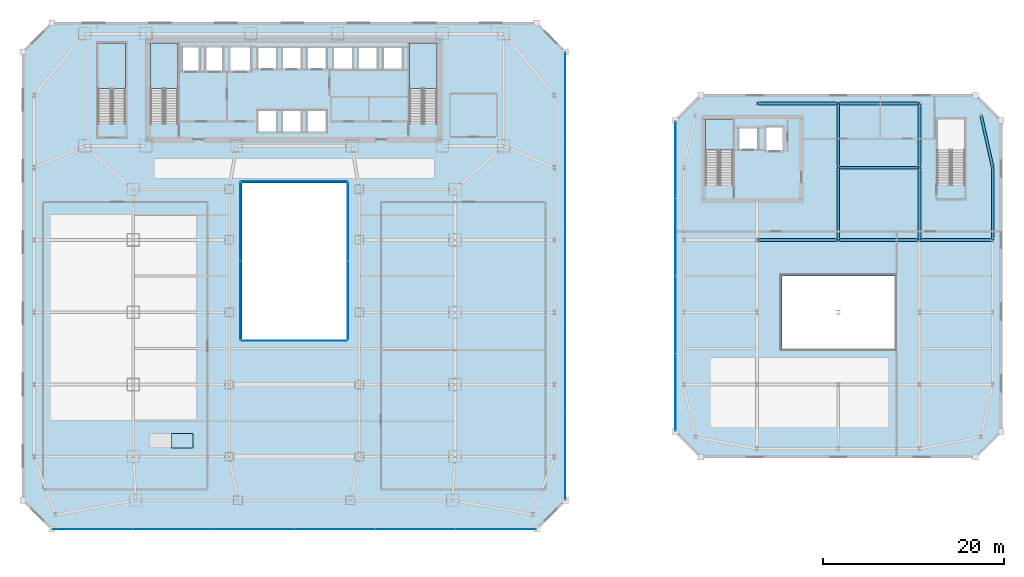
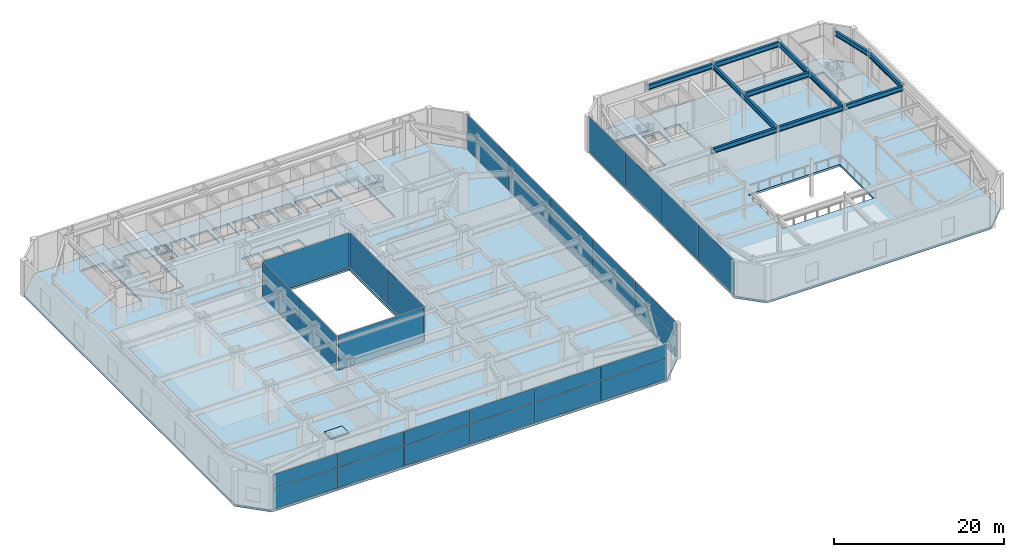
# One storey, part 37 of 52: 32 plates, 12 beams, 7 slabs, 12 elements without a shape of their own.
"""IFC4 building model written with IfcOpenShell, lengths in metres."""

from ifc_helpers import new_model, si_unit, direction, frame, origin, origin_2d, place, context, subcontext, project, spatial, polyline, rectangle, i_section, outline, extrude, material, layer, layer_set, material_profile, profile_set, type_object, element, aggregate, save


model = new_model("IFC4")

# Units and contexts
model_context = context("Model", 3, precision=1e-05, world=origin(), true_north=direction((0.0, 1.0)))
body_context = subcontext(model_context, "Body", "Model", "MODEL_VIEW")
ifc_project = project(units=[si_unit("LENGTHUNIT", "METRE"), si_unit("AREAUNIT", "SQUARE_METRE"), si_unit("VOLUMEUNIT", "CUBIC_METRE"), si_unit("PLANEANGLEUNIT", "RADIAN"), si_unit("MASSUNIT", "GRAM", prefix="KILO")], contexts=[model_context])

# Site, building, storey
site_placement = place(None, origin())
site = spatial("IfcSite", under=ifc_project, at=site_placement, CompositionType="ELEMENT")
building_placement = place(site_placement, origin())
building = spatial("IfcBuilding", under=site, at=building_placement, Name="Saevonmaru Cultural Tower", CompositionType="ELEMENT")
storey_placement = place(building_placement, frame((0.0, 0.0, 11.39990234375)))
storey = spatial("IfcBuildingStorey", under=building, at=storey_placement, Name="L02", CompositionType="ELEMENT", Elevation=11.39990234375)

# Beams
ifc_material_1 = material(Name="Steel SM355", Category="steel")
ifc_material_profile = material_profile(ifc_material_1, i_section(OverallWidth=0.300048828125, OverallDepth=0.699951171875, WebThickness=0.012939453125, FlangeThickness=0.02392578125, FilletRadius=0.02587890625, at=origin_2d()), Name="H-700x300x13x24")
ifc_profile_set = profile_set([ifc_material_profile], Name="Steel SM355")
beam_type = type_object("IfcBeamType", Name="BM-G-H700", PredefinedType="BEAM", material=ifc_profile_set)
for number, where, z_axis, x_axis, name in (
    (1, (81.260009765625, 32.0, 4.75), (1.0, 0.0, 0.0), (0.0, 1.0, 0.0), "L02 Library Girder EW-4-2"),
    (2, (90.260009765625, 32.0, 4.75), (1.0, 0.0, 0.0), (0.0, 1.0, 0.0), "L02 Library Girder EW-4-3"),
):
    element("IfcBeam", number, at=place(storey_placement, frame(where, z_axis=z_axis, x_axis=x_axis)), inside=storey, type_object=beam_type, Name=name, PredefinedType="BEAM", context=body_context, shape_type="SweptSolid", body=[
        extrude(i_section(OverallWidth=0.300048828125, OverallDepth=0.699951171875, WebThickness=0.012939453125, FlangeThickness=0.02392578125, FilletRadius=0.02587890625, at=origin_2d()), origin(), (0.0, 0.0, 1.0), 8.8798828125),
    ])
beam_1_placement = place(storey_placement, frame((99.260009765625, 32.0, 4.75), z_axis=(1.0, 0.0, 0.0), x_axis=(0.0, 1.0, 0.0)))
element("IfcBeam", 3, at=beam_1_placement, inside=storey, type_object=beam_type, Name="L02 Library Girder EW-4-4", PredefinedType="BEAM", context=body_context, shape_type="SweptSolid", body=[
    extrude(i_section(OverallWidth=0.300048828125, OverallDepth=0.699951171875, WebThickness=0.012939453125, FlangeThickness=0.02392578125, FilletRadius=0.02587890625, at=origin_2d()), origin(), (0.0, 0.0, 1.0), 7.97998046875),
])
for number, where, z_axis, x_axis, name in (
    (4, (90.260009765625, 40.0, 4.75), (1.0, 0.0, 0.0), (0.0, 1.0, 0.0), "L02 Library Girder EW-5-3"),
    (5, (81.260009765625, 47.10009765625, 4.75), (1.0, 0.0, 0.0), (0.0, 1.0, 0.0), "L02 Library Girder EW-6-2"),
    (6, (90.260009765625, 47.10009765625, 4.75), (1.0, 0.0, 0.0), (0.0, 1.0, 0.0), "L02 Library Girder EW-6-3"),
):
    element("IfcBeam", number, at=place(storey_placement, frame(where, z_axis=z_axis, x_axis=x_axis)), inside=storey, type_object=beam_type, Name=name, PredefinedType="BEAM", context=body_context, shape_type="SweptSolid", body=[
        extrude(i_section(OverallWidth=0.300048828125, OverallDepth=0.699951171875, WebThickness=0.012939453125, FlangeThickness=0.02392578125, FilletRadius=0.02587890625, at=origin_2d()), origin(), (0.0, 0.0, 1.0), 8.8798828125),
    ])
beam_2_placement = place(storey_placement, frame((90.199951171875, 32.06005859375, 4.75), z_axis=(0.0, 1.0, 0.0), x_axis=(-1.0, 0.0, 0.0)))
element("IfcBeam", 7, at=beam_2_placement, inside=storey, type_object=beam_type, Name="L02 Library Girder NS-3-4", PredefinedType="BEAM", context=body_context, shape_type="SweptSolid", body=[
    extrude(i_section(OverallWidth=0.300048828125, OverallDepth=0.699951171875, WebThickness=0.012939453125, FlangeThickness=0.02392578125, FilletRadius=0.02587890625, at=origin_2d()), origin(), (0.0, 0.0, 1.0), 7.8798828125),
])
beam_3_placement = place(storey_placement, frame((90.199951171875, 40.06005859375, 4.75), z_axis=(0.0, 1.0, 0.0), x_axis=(-1.0, 0.0, 0.0)))
element("IfcBeam", 8, at=beam_3_placement, inside=storey, type_object=beam_type, Name="L02 Library Girder NS-3-5", PredefinedType="BEAM", context=body_context, shape_type="SweptSolid", body=[
    extrude(i_section(OverallWidth=0.300048828125, OverallDepth=0.699951171875, WebThickness=0.012939453125, FlangeThickness=0.02392578125, FilletRadius=0.02587890625, at=origin_2d()), origin(), (0.0, 0.0, 1.0), 6.97998046875),
])
beam_4_placement = place(storey_placement, frame((99.199951171875, 32.06005859375, 4.75), z_axis=(0.0, 1.0, 0.0), x_axis=(-1.0, 0.0, 0.0)))
element("IfcBeam", 9, at=beam_4_placement, inside=storey, type_object=beam_type, Name="L02 Library Girder NS-4-4", PredefinedType="BEAM", context=body_context, shape_type="SweptSolid", body=[
    extrude(i_section(OverallWidth=0.300048828125, OverallDepth=0.699951171875, WebThickness=0.012939453125, FlangeThickness=0.02392578125, FilletRadius=0.02587890625, at=origin_2d()), origin(), (0.0, 0.0, 1.0), 7.8798828125),
])
beam_5_placement = place(storey_placement, frame((99.199951171875, 40.06005859375, 4.75), z_axis=(0.0, 1.0, 0.0), x_axis=(-1.0, 0.0, 0.0)))
element("IfcBeam", 10, at=beam_5_placement, inside=storey, type_object=beam_type, Name="L02 Library Girder NS-4-5", PredefinedType="BEAM", context=body_context, shape_type="SweptSolid", body=[
    extrude(i_section(OverallWidth=0.300048828125, OverallDepth=0.699951171875, WebThickness=0.012939453125, FlangeThickness=0.02392578125, FilletRadius=0.02587890625, at=origin_2d()), origin(), (0.0, 0.0, 1.0), 6.97998046875),
])
beam_6_placement = place(storey_placement, frame((107.300048828125, 32.06005859375, 4.75), z_axis=(0.0, 1.0, 0.0), x_axis=(-1.0, 0.0, 0.0)))
element("IfcBeam", 11, at=beam_6_placement, inside=storey, type_object=beam_type, Name="L02 Library Girder NS-5-4", PredefinedType="BEAM", context=body_context, shape_type="SweptSolid", body=[
    extrude(i_section(OverallWidth=0.300048828125, OverallDepth=0.699951171875, WebThickness=0.012939453125, FlangeThickness=0.02392578125, FilletRadius=0.02587890625, at=origin_2d()), origin(), (0.0, 0.0, 1.0), 7.8798828125),
])
beam_7_placement = place(storey_placement, frame((107.286865234375, 40.05859375, 4.75), z_axis=(-0.218701133908, 0.975791890737, 0.0), x_axis=(-0.975791890737, -0.218701133908, 0.0)))
element("IfcBeam", 12, at=beam_7_placement, inside=storey, type_object=beam_type, Name="L02 Library Girder NS-5-5", PredefinedType="BEAM", context=body_context, shape_type="SweptSolid", body=[
    extrude(i_section(OverallWidth=0.300048828125, OverallDepth=0.699951171875, WebThickness=0.012939453125, FlangeThickness=0.02392578125, FilletRadius=0.02587890625, at=origin_2d()), origin(), (0.0, 0.0, 1.0), 5.82373046875),
])

# Curtain wall, plate
ifc_material_2 = material(Name="Satin Bronze Anodised Aluminium", Category="aluminium")
curtain_wall_type_1 = type_object("IfcCurtainWallType", Name="CW-ATR-GLZ", PredefinedType="NOTDEFINED", material=ifc_material_2)
curtain_wall_1_placement = place(storey_placement, origin())
curtain_wall_1 = element("IfcCurtainWall", 13, at=curtain_wall_1_placement, inside=storey, type_object=curtain_wall_type_1, Name="L02 Vertical Atrium Glazed Smoke Screen 1", PredefinedType="NOTDEFINED")
ifc_material_3 = material(Name="Fire-Rated Laminated Atrium Glass", Category="glass")
ifc_layer_1 = layer(ifc_material_3, 0.031982421875, Name="Fire-Rated Laminated Atrium Glass")
ifc_layer_set_1 = layer_set([ifc_layer_1], Name="Fire-Rated Laminated Atrium Glass")
plate_type_1 = type_object("IfcPlateType", Name="PN-GLZ-ATR-INT", PredefinedType="CURTAIN_PANEL", material=ifc_layer_set_1)
plate_1_placement = place(storey_placement, frame((30.0, 20.85009765625, 0.06689453125), z_axis=(0.0, 0.0, 1.0), x_axis=(1.0, 0.0, 0.0)))
plate_1 = element("IfcPlate", 14, at=plate_1_placement, type_object=plate_type_1, Name="CW-ATR-L02-1 panel 1.1", PredefinedType="CURTAIN_PANEL", context=body_context, shape_type="SweptSolid", body=[
    extrude(rectangle(XDim=11.7109375, YDim=0.031982421875, at=origin_2d()), origin(), (0.0, 0.0, 1.0), 4.966064453125),
])
aggregate(curtain_wall_1, [plate_1])

# Curtain wall, plates
curtain_wall_2_placement = place(storey_placement, origin())
curtain_wall_2 = element("IfcCurtainWall", 15, at=curtain_wall_2_placement, inside=storey, type_object=curtain_wall_type_1, Name="L02 Vertical Atrium Glazed Smoke Screen 2", PredefinedType="NOTDEFINED")
plate_2_placement = place(storey_placement, frame((35.949951171875, 25.284912109375, 0.06689453125), z_axis=(0.0, 0.0, 1.0), x_axis=(0.0, 1.0, 0.0)))
plate_2 = element("IfcPlate", 16, at=plate_2_placement, type_object=plate_type_1, Name="CW-ATR-L02-2 panel 1.1", PredefinedType="CURTAIN_PANEL", context=body_context, shape_type="SweptSolid", body=[
    extrude(rectangle(XDim=8.680908203125, YDim=0.031982421875, at=origin_2d()), origin(), (0.0, 0.0, 1.0), 4.966064453125),
])
plate_3_placement = place(storey_placement, frame((35.949951171875, 34.034912109375, 0.06689453125), z_axis=(0.0, 0.0, 1.0), x_axis=(0.0, 1.0, 0.0)))
plate_3 = element("IfcPlate", 17, at=plate_3_placement, type_object=plate_type_1, Name="CW-ATR-L02-2 panel 2.1", PredefinedType="CURTAIN_PANEL", context=body_context, shape_type="SweptSolid", body=[
    extrude(rectangle(XDim=8.680908203125, YDim=0.031982421875, at=origin_2d()), origin(), (0.0, 0.0, 1.0), 4.966064453125),
])
aggregate(curtain_wall_2, [plate_2, plate_3])

# Curtain wall, plate
curtain_wall_3_placement = place(storey_placement, origin())
curtain_wall_3 = element("IfcCurtainWall", 18, at=curtain_wall_3_placement, inside=storey, type_object=curtain_wall_type_1, Name="L02 Vertical Atrium Glazed Smoke Screen 3", PredefinedType="NOTDEFINED")
plate_4_placement = place(storey_placement, frame((30.0, 38.469970703125, 0.06689453125), z_axis=(0.0, 0.0, 1.0), x_axis=(-1.0, 0.0, 0.0)))
plate_4 = element("IfcPlate", 19, at=plate_4_placement, type_object=plate_type_1, Name="CW-ATR-L02-3 panel 1.1", PredefinedType="CURTAIN_PANEL", context=body_context, shape_type="SweptSolid", body=[
    extrude(rectangle(XDim=11.7109375, YDim=0.031982421875, at=origin_2d()), origin(), (0.0, 0.0, 1.0), 4.966064453125),
])
aggregate(curtain_wall_3, [plate_4])

# Curtain wall, plates
curtain_wall_4_placement = place(storey_placement, origin())
curtain_wall_4 = element("IfcCurtainWall", 20, at=curtain_wall_4_placement, inside=storey, type_object=curtain_wall_type_1, Name="L02 Vertical Atrium Glazed Smoke Screen 4", PredefinedType="NOTDEFINED")
plate_5_placement = place(storey_placement, frame((24.050048828125, 34.034912109375, 0.06689453125), z_axis=(0.0, 0.0, 1.0), x_axis=(0.0, -1.0, 0.0)))
plate_5 = element("IfcPlate", 21, at=plate_5_placement, type_object=plate_type_1, Name="CW-ATR-L02-4 panel 1.1", PredefinedType="CURTAIN_PANEL", context=body_context, shape_type="SweptSolid", body=[
    extrude(rectangle(XDim=8.680908203125, YDim=0.031982421875, at=origin_2d()), origin(), (0.0, 0.0, 1.0), 4.966064453125),
])
plate_6_placement = place(storey_placement, frame((24.050048828125, 25.284912109375, 0.06689453125), z_axis=(0.0, 0.0, 1.0), x_axis=(0.0, -1.0, 0.0)))
plate_6 = element("IfcPlate", 22, at=plate_6_placement, type_object=plate_type_1, Name="CW-ATR-L02-4 panel 2.1", PredefinedType="CURTAIN_PANEL", context=body_context, shape_type="SweptSolid", body=[
    extrude(rectangle(XDim=8.680908203125, YDim=0.031982421875, at=origin_2d()), origin(), (0.0, 0.0, 1.0), 4.966064453125),
])
aggregate(curtain_wall_4, [plate_5, plate_6])

curtain_wall_type_2 = type_object("IfcCurtainWallType", Name="CW-POD-GLZ", PredefinedType="NOTDEFINED", material=ifc_material_2)
curtain_wall_5_placement = place(storey_placement, origin())
curtain_wall_5 = element("IfcCurtainWall", 23, at=curtain_wall_5_placement, inside=storey, type_object=curtain_wall_type_2, Name="L02 South Grand Foyer Curtain Wall", PredefinedType="NOTDEFINED")
ifc_material_4 = material(Name="Triple Silver Low-E Insulating Glass", Category="glass")
ifc_layer_2 = layer(ifc_material_4, 0.035888671875, Name="Triple Silver Low-E Insulating Glass")
ifc_layer_set_2 = layer_set([ifc_layer_2], Name="Triple Silver Low-E Insulating Glass")
plate_type_2 = type_object("IfcPlateType", Name="PN-GLZ-IGU", PredefinedType="CURTAIN_PANEL", material=ifc_layer_set_2)
plate_7_placement = place(storey_placement, frame((7.716552734375, 0.0, 0.067138671875), z_axis=(0.0, 0.0, 1.0), x_axis=(1.0, 0.0, 0.0)))
plate_7 = element("IfcPlate", 24, at=plate_7_placement, type_object=plate_type_2, Name="CW-POD-S-L02 panel 1.1", PredefinedType="CURTAIN_PANEL", context=body_context, shape_type="SweptSolid", body=[
    extrude(rectangle(XDim=8.84423828125, YDim=0.035888671875, at=origin_2d()), origin(), (0.0, 0.0, 1.0), 2.8984375),
])
plate_8_placement = place(storey_placement, frame((7.716552734375, 0.0, 3.03466796875), z_axis=(0.0, 0.0, 1.0), x_axis=(1.0, 0.0, 0.0)))
plate_8 = element("IfcPlate", 25, at=plate_8_placement, type_object=plate_type_2, Name="CW-POD-S-L02 panel 1.2", PredefinedType="CURTAIN_PANEL", context=body_context, shape_type="SweptSolid", body=[
    extrude(rectangle(XDim=8.84423828125, YDim=0.035888671875, at=origin_2d()), origin(), (0.0, 0.0, 1.0), 1.99853515625),
])
plate_9_placement = place(storey_placement, frame((16.6298828125, 0.0, 0.067138671875), z_axis=(0.0, 0.0, 1.0), x_axis=(1.0, 0.0, 0.0)))
plate_9 = element("IfcPlate", 26, at=plate_9_placement, type_object=plate_type_2, Name="CW-POD-S-L02 panel 2.1", PredefinedType="CURTAIN_PANEL", context=body_context, shape_type="SweptSolid", body=[
    extrude(rectangle(XDim=8.84423828125, YDim=0.035888671875, at=origin_2d()), origin(), (0.0, 0.0, 1.0), 2.8984375),
])
plate_10_placement = place(storey_placement, frame((16.6298828125, 0.0, 3.03466796875), z_axis=(0.0, 0.0, 1.0), x_axis=(1.0, 0.0, 0.0)))
plate_10 = element("IfcPlate", 27, at=plate_10_placement, type_object=plate_type_2, Name="CW-POD-S-L02 panel 2.2", PredefinedType="CURTAIN_PANEL", context=body_context, shape_type="SweptSolid", body=[
    extrude(rectangle(XDim=8.84423828125, YDim=0.035888671875, at=origin_2d()), origin(), (0.0, 0.0, 1.0), 1.99853515625),
])
plate_11_placement = place(storey_placement, frame((25.543212890625, 0.0, 0.067138671875), z_axis=(0.0, 0.0, 1.0), x_axis=(1.0, 0.0, 0.0)))
plate_11 = element("IfcPlate", 28, at=plate_11_placement, type_object=plate_type_2, Name="CW-POD-S-L02 panel 3.1", PredefinedType="CURTAIN_PANEL", context=body_context, shape_type="SweptSolid", body=[
    extrude(rectangle(XDim=8.84423828125, YDim=0.035888671875, at=origin_2d()), origin(), (0.0, 0.0, 1.0), 2.8984375),
])
plate_12_placement = place(storey_placement, frame((25.543212890625, 0.0, 3.03466796875), z_axis=(0.0, 0.0, 1.0), x_axis=(1.0, 0.0, 0.0)))
plate_12 = element("IfcPlate", 29, at=plate_12_placement, type_object=plate_type_2, Name="CW-POD-S-L02 panel 3.2", PredefinedType="CURTAIN_PANEL", context=body_context, shape_type="SweptSolid", body=[
    extrude(rectangle(XDim=8.84423828125, YDim=0.035888671875, at=origin_2d()), origin(), (0.0, 0.0, 1.0), 1.99853515625),
])
plate_13_placement = place(storey_placement, frame((34.456787109375, 0.0, 0.067138671875), z_axis=(0.0, 0.0, 1.0), x_axis=(1.0, 0.0, 0.0)))
plate_13 = element("IfcPlate", 30, at=plate_13_placement, type_object=plate_type_2, Name="CW-POD-S-L02 panel 4.1", PredefinedType="CURTAIN_PANEL", context=body_context, shape_type="SweptSolid", body=[
    extrude(rectangle(XDim=8.84423828125, YDim=0.035888671875, at=origin_2d()), origin(), (0.0, 0.0, 1.0), 2.8984375),
])
plate_14_placement = place(storey_placement, frame((34.456787109375, 0.0, 3.03466796875), z_axis=(0.0, 0.0, 1.0), x_axis=(1.0, 0.0, 0.0)))
plate_14 = element("IfcPlate", 31, at=plate_14_placement, type_object=plate_type_2, Name="CW-POD-S-L02 panel 4.2", PredefinedType="CURTAIN_PANEL", context=body_context, shape_type="SweptSolid", body=[
    extrude(rectangle(XDim=8.84423828125, YDim=0.035888671875, at=origin_2d()), origin(), (0.0, 0.0, 1.0), 1.99853515625),
])
plate_15_placement = place(storey_placement, frame((43.3701171875, 0.0, 0.067138671875), z_axis=(0.0, 0.0, 1.0), x_axis=(1.0, 0.0, 0.0)))
plate_15 = element("IfcPlate", 32, at=plate_15_placement, type_object=plate_type_2, Name="CW-POD-S-L02 panel 5.1", PredefinedType="CURTAIN_PANEL", context=body_context, shape_type="SweptSolid", body=[
    extrude(rectangle(XDim=8.84423828125, YDim=0.035888671875, at=origin_2d()), origin(), (0.0, 0.0, 1.0), 2.8984375),
])
plate_16_placement = place(storey_placement, frame((43.3701171875, 0.0, 3.03466796875), z_axis=(0.0, 0.0, 1.0), x_axis=(1.0, 0.0, 0.0)))
plate_16 = element("IfcPlate", 33, at=plate_16_placement, type_object=plate_type_2, Name="CW-POD-S-L02 panel 5.2", PredefinedType="CURTAIN_PANEL", context=body_context, shape_type="SweptSolid", body=[
    extrude(rectangle(XDim=8.84423828125, YDim=0.035888671875, at=origin_2d()), origin(), (0.0, 0.0, 1.0), 1.99853515625),
])
plate_17_placement = place(storey_placement, frame((52.283447265625, 0.0, 0.067138671875), z_axis=(0.0, 0.0, 1.0), x_axis=(1.0, 0.0, 0.0)))
plate_17 = element("IfcPlate", 34, at=plate_17_placement, type_object=plate_type_2, Name="CW-POD-S-L02 panel 6.1", PredefinedType="CURTAIN_PANEL", context=body_context, shape_type="SweptSolid", body=[
    extrude(rectangle(XDim=8.84423828125, YDim=0.035888671875, at=origin_2d()), origin(), (0.0, 0.0, 1.0), 2.8984375),
])
plate_18_placement = place(storey_placement, frame((52.283447265625, 0.0, 3.03466796875), z_axis=(0.0, 0.0, 1.0), x_axis=(1.0, 0.0, 0.0)))
plate_18 = element("IfcPlate", 35, at=plate_18_placement, type_object=plate_type_2, Name="CW-POD-S-L02 panel 6.2", PredefinedType="CURTAIN_PANEL", context=body_context, shape_type="SweptSolid", body=[
    extrude(rectangle(XDim=8.84423828125, YDim=0.035888671875, at=origin_2d()), origin(), (0.0, 0.0, 1.0), 1.99853515625),
])
aggregate(curtain_wall_5, [plate_7, plate_8, plate_9, plate_10, plate_11, plate_12, plate_13, plate_14, plate_15, plate_16, plate_17, plate_18])

curtain_wall_6_placement = place(storey_placement, origin())
curtain_wall_6 = element("IfcCurtainWall", 36, at=curtain_wall_6_placement, inside=storey, type_object=curtain_wall_type_2, Name="L02 Saevon Plaza Curtain Wall", PredefinedType="NOTDEFINED")
plate_19_placement = place(storey_placement, frame((60.0, 8.2080078125, 0.067138671875), z_axis=(0.0, 0.0, 1.0), x_axis=(0.0, 1.0, 0.0)))
plate_19 = element("IfcPlate", 37, at=plate_19_placement, type_object=plate_type_2, Name="CW-POD-E-L02 panel 1.1", PredefinedType="CURTAIN_PANEL", context=body_context, shape_type="SweptSolid", body=[
    extrude(rectangle(XDim=9.826904296875, YDim=0.035888671875, at=origin_2d()), origin(), (0.0, 0.0, 1.0), 2.8984375),
])
plate_20_placement = place(storey_placement, frame((60.0, 8.2080078125, 3.03466796875), z_axis=(0.0, 0.0, 1.0), x_axis=(0.0, 1.0, 0.0)))
plate_20 = element("IfcPlate", 38, at=plate_20_placement, type_object=plate_type_2, Name="CW-POD-E-L02 panel 1.2", PredefinedType="CURTAIN_PANEL", context=body_context, shape_type="SweptSolid", body=[
    extrude(rectangle(XDim=9.826904296875, YDim=0.035888671875, at=origin_2d()), origin(), (0.0, 0.0, 1.0), 1.99853515625),
])
plate_21_placement = place(storey_placement, frame((60.0, 18.10400390625, 0.067138671875), z_axis=(0.0, 0.0, 1.0), x_axis=(0.0, 1.0, 0.0)))
plate_21 = element("IfcPlate", 39, at=plate_21_placement, type_object=plate_type_2, Name="CW-POD-E-L02 panel 2.1", PredefinedType="CURTAIN_PANEL", context=body_context, shape_type="SweptSolid", body=[
    extrude(rectangle(XDim=9.826904296875, YDim=0.035888671875, at=origin_2d()), origin(), (0.0, 0.0, 1.0), 2.8984375),
])
plate_22_placement = place(storey_placement, frame((60.0, 18.10400390625, 3.03466796875), z_axis=(0.0, 0.0, 1.0), x_axis=(0.0, 1.0, 0.0)))
plate_22 = element("IfcPlate", 40, at=plate_22_placement, type_object=plate_type_2, Name="CW-POD-E-L02 panel 2.2", PredefinedType="CURTAIN_PANEL", context=body_context, shape_type="SweptSolid", body=[
    extrude(rectangle(XDim=9.826904296875, YDim=0.035888671875, at=origin_2d()), origin(), (0.0, 0.0, 1.0), 1.99853515625),
])
plate_23_placement = place(storey_placement, frame((60.0, 28.0, 0.067138671875), z_axis=(0.0, 0.0, 1.0), x_axis=(0.0, 1.0, 0.0)))
plate_23 = element("IfcPlate", 41, at=plate_23_placement, type_object=plate_type_2, Name="CW-POD-E-L02 panel 3.1", PredefinedType="CURTAIN_PANEL", context=body_context, shape_type="SweptSolid", body=[
    extrude(rectangle(XDim=9.826904296875, YDim=0.035888671875, at=origin_2d()), origin(), (0.0, 0.0, 1.0), 2.8984375),
])
plate_24_placement = place(storey_placement, frame((60.0, 28.0, 3.03466796875), z_axis=(0.0, 0.0, 1.0), x_axis=(0.0, 1.0, 0.0)))
plate_24 = element("IfcPlate", 42, at=plate_24_placement, type_object=plate_type_2, Name="CW-POD-E-L02 panel 3.2", PredefinedType="CURTAIN_PANEL", context=body_context, shape_type="SweptSolid", body=[
    extrude(rectangle(XDim=9.826904296875, YDim=0.035888671875, at=origin_2d()), origin(), (0.0, 0.0, 1.0), 1.99853515625),
])
plate_25_placement = place(storey_placement, frame((60.0, 37.89599609375, 0.067138671875), z_axis=(0.0, 0.0, 1.0), x_axis=(0.0, 1.0, 0.0)))
plate_25 = element("IfcPlate", 43, at=plate_25_placement, type_object=plate_type_2, Name="CW-POD-E-L02 panel 4.1", PredefinedType="CURTAIN_PANEL", context=body_context, shape_type="SweptSolid", body=[
    extrude(rectangle(XDim=9.826904296875, YDim=0.035888671875, at=origin_2d()), origin(), (0.0, 0.0, 1.0), 2.8984375),
])
plate_26_placement = place(storey_placement, frame((60.0, 37.89599609375, 3.03466796875), z_axis=(0.0, 0.0, 1.0), x_axis=(0.0, 1.0, 0.0)))
plate_26 = element("IfcPlate", 44, at=plate_26_placement, type_object=plate_type_2, Name="CW-POD-E-L02 panel 4.2", PredefinedType="CURTAIN_PANEL", context=body_context, shape_type="SweptSolid", body=[
    extrude(rectangle(XDim=9.826904296875, YDim=0.035888671875, at=origin_2d()), origin(), (0.0, 0.0, 1.0), 1.99853515625),
])
plate_27_placement = place(storey_placement, frame((60.0, 47.7919921875, 0.067138671875), z_axis=(0.0, 0.0, 1.0), x_axis=(0.0, 1.0, 0.0)))
plate_27 = element("IfcPlate", 45, at=plate_27_placement, type_object=plate_type_2, Name="CW-POD-E-L02 panel 5.1", PredefinedType="CURTAIN_PANEL", context=body_context, shape_type="SweptSolid", body=[
    extrude(rectangle(XDim=9.826904296875, YDim=0.035888671875, at=origin_2d()), origin(), (0.0, 0.0, 1.0), 2.8984375),
])
plate_28_placement = place(storey_placement, frame((60.0, 47.7919921875, 3.03466796875), z_axis=(0.0, 0.0, 1.0), x_axis=(0.0, 1.0, 0.0)))
plate_28 = element("IfcPlate", 46, at=plate_28_placement, type_object=plate_type_2, Name="CW-POD-E-L02 panel 5.2", PredefinedType="CURTAIN_PANEL", context=body_context, shape_type="SweptSolid", body=[
    extrude(rectangle(XDim=9.826904296875, YDim=0.035888671875, at=origin_2d()), origin(), (0.0, 0.0, 1.0), 1.99853515625),
])
aggregate(curtain_wall_6, [plate_19, plate_20, plate_21, plate_22, plate_23, plate_24, plate_25, plate_26, plate_27, plate_28])

curtain_wall_type_3 = type_object("IfcCurtainWallType", Name="CW-LIB-GLZ", PredefinedType="NOTDEFINED", material=ifc_material_2)
curtain_wall_7_placement = place(storey_placement, origin())
curtain_wall_7 = element("IfcCurtainWall", 47, at=curtain_wall_7_placement, inside=storey, type_object=curtain_wall_type_3, Name="L02 Central Library Reading Hall Curtain Wall 8", PredefinedType="NOTDEFINED")
plate_29_placement = place(storey_placement, frame((72.199951171875, 40.85498046875, 0.06689453125), z_axis=(0.0, 0.0, 1.0), x_axis=(0.0, -1.0, 0.0)))
plate_29 = element("IfcPlate", 48, at=plate_29_placement, type_object=plate_type_2, Name="CW-LIB-8-L02 panel 1.1", PredefinedType="CURTAIN_PANEL", context=body_context, shape_type="SweptSolid", body=[
    extrude(rectangle(XDim=8.5009765625, YDim=0.035888671875, at=origin_2d()), origin(), (0.0, 0.0, 1.0), 4.966064453125),
])
plate_30_placement = place(storey_placement, frame((72.199951171875, 32.284912109375, 0.06689453125), z_axis=(0.0, 0.0, 1.0), x_axis=(0.0, -1.0, 0.0)))
plate_30 = element("IfcPlate", 49, at=plate_30_placement, type_object=plate_type_2, Name="CW-LIB-8-L02 panel 2.1", PredefinedType="CURTAIN_PANEL", context=body_context, shape_type="SweptSolid", body=[
    extrude(rectangle(XDim=8.5009765625, YDim=0.035888671875, at=origin_2d()), origin(), (0.0, 0.0, 1.0), 4.966064453125),
])
plate_31_placement = place(storey_placement, frame((72.199951171875, 23.715087890625, 0.06689453125), z_axis=(0.0, 0.0, 1.0), x_axis=(0.0, -1.0, 0.0)))
plate_31 = element("IfcPlate", 50, at=plate_31_placement, type_object=plate_type_2, Name="CW-LIB-8-L02 panel 3.1", PredefinedType="CURTAIN_PANEL", context=body_context, shape_type="SweptSolid", body=[
    extrude(rectangle(XDim=8.5009765625, YDim=0.035888671875, at=origin_2d()), origin(), (0.0, 0.0, 1.0), 4.966064453125),
])
plate_32_placement = place(storey_placement, frame((72.199951171875, 15.14501953125, 0.06689453125), z_axis=(0.0, 0.0, 1.0), x_axis=(0.0, -1.0, 0.0)))
plate_32 = element("IfcPlate", 51, at=plate_32_placement, type_object=plate_type_2, Name="CW-LIB-8-L02 panel 4.1", PredefinedType="CURTAIN_PANEL", context=body_context, shape_type="SweptSolid", body=[
    extrude(rectangle(XDim=8.5009765625, YDim=0.035888671875, at=origin_2d()), origin(), (0.0, 0.0, 1.0), 4.966064453125),
])
aggregate(curtain_wall_7, [plate_29, plate_30, plate_31, plate_32])

# Ramp, slab
ifc_material_5 = material(Name="Concrete C40/50", Category="concrete")
ramp_type = type_object("IfcRampType", Name="RMP-PED-1600", PredefinedType="STRAIGHT_RUN_RAMP", material=ifc_material_5)
ramp_placement = place(storey_placement, origin())
ramp = element("IfcRamp", 52, at=ramp_placement, inside=storey, type_object=ramp_type, Name="L02 Barrier-Free Gallery Dais Ramp PR-2", PredefinedType="STRAIGHT_RUN_RAMP")
ifc_layer_3 = layer(ifc_material_5, 0.199951171875, Name="Concrete C40/50")
ifc_layer_set_3 = layer_set([ifc_layer_3], Name="Concrete C40/50")
slab_type_1 = type_object("IfcSlabType", Name="SL-DAIS-200", PredefinedType="LANDING", material=ifc_layer_set_3)
slab_1_placement = place(storey_placement, origin())
slab_1 = element("IfcSlab", 53, at=slab_1_placement, type_object=slab_type_1, Name="L02 Gallery Exhibition Dais Landing 2", PredefinedType="LANDING", context=body_context, shape_type="SweptSolid", body=[
    extrude(outline(polyline([(16.39990234375, 9.0), (18.800048828125, 9.0), (18.800048828125, 10.60009765625), (16.39990234375, 10.60009765625), (16.39990234375, 9.0)])), origin(), (0.0, 0.0, 1.0), 0.2001953125),
])
aggregate(ramp, [slab_1])

# Slabs
ifc_layer_4 = layer(ifc_material_5, 0.300048828125, Name="Concrete C40/50")
ifc_layer_set_4 = layer_set([ifc_layer_4], Name="Concrete C40/50")
slab_type_2 = type_object("IfcSlabType", Name="SL-FLR-300", PredefinedType="FLOOR", material=ifc_layer_set_4)
slab_2_placement = place(storey_placement, frame((0.0, 0.0, -0.2998046875)))
element("IfcSlab", 54, at=slab_2_placement, inside=storey, type_object=slab_type_2, Name="L02 Tower Structural Floor Slab", PredefinedType="FLOOR", context=body_context, shape_type="SweptSolid", body=[
    extrude(outline(polyline([(0.0, 3.199951171875), (3.199951171875, 0.0), (56.800048828125, 0.0), (60.0, 3.199951171875), (60.0, 52.800048828125), (56.800048828125, 56.0), (3.199951171875, 56.0), (0.0, 52.800048828125), (0.0, 3.199951171875)]), holes=[polyline([(45.800048828125, 44.875), (42.75, 44.875), (42.75, 53.800048828125), (45.800048828125, 53.800048828125), (45.800048828125, 44.875)]), polyline([(39.75, 50.800048828125), (39.75, 53.39990234375), (42.050048828125, 53.39990234375), (42.050048828125, 50.800048828125), (39.75, 50.800048828125)]), polyline([(37.0, 50.800048828125), (37.0, 53.39990234375), (39.300048828125, 53.39990234375), (39.300048828125, 50.800048828125), (37.0, 50.800048828125)]), polyline([(34.25, 50.800048828125), (34.25, 53.39990234375), (36.550048828125, 53.39990234375), (36.550048828125, 50.800048828125), (34.25, 50.800048828125)]), polyline([(24.199951171875, 21.0), (24.199951171875, 38.320068359375), (35.800048828125, 38.320068359375), (35.800048828125, 21.0), (24.199951171875, 21.0)]), polyline([(31.35009765625, 50.800048828125), (31.35009765625, 53.39990234375), (33.64990234375, 53.39990234375), (33.64990234375, 50.800048828125), (31.35009765625, 50.800048828125)]), polyline([(31.35009765625, 43.85009765625), (31.35009765625, 46.449951171875), (33.64990234375, 46.449951171875), (33.64990234375, 43.85009765625), (31.35009765625, 43.85009765625)]), polyline([(28.60009765625, 43.85009765625), (28.60009765625, 46.449951171875), (30.89990234375, 46.449951171875), (30.89990234375, 43.85009765625), (28.60009765625, 43.85009765625)]), polyline([(28.60009765625, 50.800048828125), (28.60009765625, 53.39990234375), (30.89990234375, 53.39990234375), (30.89990234375, 50.800048828125), (28.60009765625, 50.800048828125)]), polyline([(25.85009765625, 50.800048828125), (25.85009765625, 53.39990234375), (28.14990234375, 53.39990234375), (28.14990234375, 50.800048828125), (25.85009765625, 50.800048828125)]), polyline([(25.85009765625, 43.85009765625), (25.85009765625, 46.449951171875), (28.14990234375, 46.449951171875), (28.14990234375, 43.85009765625), (25.85009765625, 43.85009765625)]), polyline([(22.800048828125, 50.550048828125), (22.800048828125, 53.449951171875), (25.300048828125, 53.449951171875), (25.300048828125, 50.550048828125), (22.800048828125, 50.550048828125)]), polyline([(20.10009765625, 50.550048828125), (20.10009765625, 53.449951171875), (22.199951171875, 53.449951171875), (22.199951171875, 50.550048828125), (20.10009765625, 50.550048828125)]), polyline([(17.5, 50.550048828125), (17.5, 53.449951171875), (19.60009765625, 53.449951171875), (19.60009765625, 50.550048828125), (17.5, 50.550048828125)]), polyline([(17.14990234375, 44.875), (14.10009765625, 44.875), (14.10009765625, 53.800048828125), (17.14990234375, 53.800048828125), (17.14990234375, 44.875)]), polyline([(11.35009765625, 44.875), (8.300048828125, 44.875), (8.300048828125, 53.800048828125), (11.35009765625, 53.800048828125), (11.35009765625, 44.875)])]), origin(), (0.0, 0.0, 1.0), 0.2998046875),
])
slab_3_placement = place(storey_placement, frame((0.0, 0.0, -0.2998046875)))
element("IfcSlab", 55, at=slab_3_placement, inside=storey, type_object=slab_type_2, Name="L02 Central Library Structural Floor Slab", PredefinedType="FLOOR", context=body_context, shape_type="SweptSolid", body=[
    extrude(outline(polyline([(72.199951171875, 10.800048828125), (75.0, 8.0), (105.39990234375, 8.0), (108.199951171875, 10.800048828125), (108.199951171875, 45.199951171875), (105.39990234375, 48.0), (75.0, 48.0), (72.199951171875, 45.199951171875), (72.199951171875, 10.800048828125)]), holes=[polyline([(101.14990234375, 45.39990234375), (104.199951171875, 45.39990234375), (104.199951171875, 38.074951171875), (101.14990234375, 38.074951171875), (101.14990234375, 45.39990234375)]), polyline([(96.39990234375, 28.0), (96.39990234375, 20.0), (84.0, 20.0), (84.0, 28.0), (96.39990234375, 28.0)]), polyline([(84.199951171875, 41.75), (82.10009765625, 41.75), (82.10009765625, 44.64990234375), (84.199951171875, 44.64990234375), (84.199951171875, 41.75)]), polyline([(81.39990234375, 41.89990234375), (79.10009765625, 41.89990234375), (79.10009765625, 44.5), (81.39990234375, 44.5), (81.39990234375, 41.89990234375)]), polyline([(75.5, 45.39990234375), (78.550048828125, 45.39990234375), (78.550048828125, 38.074951171875), (75.5, 38.074951171875), (75.5, 45.39990234375)])]), origin(), (0.0, 0.0, 1.0), 0.2998046875),
])

# Stair, slab
stair_type = type_object("IfcStairType", Name="STR-DOGLEG-RC", PredefinedType="HALF_TURN_STAIR", material=ifc_material_5)
stair_1_placement = place(storey_placement, origin())
stair_1 = element("IfcStair", 56, at=stair_1_placement, inside=storey, type_object=stair_type, Name="L02 Protected exit stair LST-1", PredefinedType="HALF_TURN_STAIR")
ifc_layer_5 = layer(ifc_material_5, 0.199951171875, Name="Concrete C40/50")
ifc_layer_set_5 = layer_set([ifc_layer_5], Name="Concrete C40/50")
slab_type_3 = type_object("IfcSlabType", Name="SL-STAIR-LANDING", PredefinedType="LANDING", material=ifc_layer_set_5)
slab_4_placement = place(storey_placement, frame((0.0, 0.0, 2.5)))
slab_4 = element("IfcSlab", 57, at=slab_4_placement, type_object=slab_type_3, Name="LST-1-L02 landing 1", PredefinedType="LANDING", context=body_context, shape_type="SweptSolid", body=[
    extrude(outline(polyline([(78.550048828125, 41.969970703125), (78.550048828125, 45.39990234375), (75.5, 45.39990234375), (75.5, 41.969970703125), (78.550048828125, 41.969970703125)])), origin(), (0.0, 0.0, 1.0), 0.2001953125),
])
aggregate(stair_1, [slab_4])

stair_2_placement = place(storey_placement, origin())
stair_2 = element("IfcStair", 58, at=stair_2_placement, inside=storey, type_object=stair_type, Name="L02 Protected exit stair ST-1", PredefinedType="HALF_TURN_STAIR")
slab_5_placement = place(storey_placement, frame((0.0, 0.0, 2.5)))
slab_5 = element("IfcSlab", 59, at=slab_5_placement, type_object=slab_type_3, Name="ST-1-L02 landing 1", PredefinedType="LANDING", context=body_context, shape_type="SweptSolid", body=[
    extrude(outline(polyline([(17.14990234375, 48.77001953125), (17.14990234375, 53.800048828125), (14.10009765625, 53.800048828125), (14.10009765625, 48.77001953125), (17.14990234375, 48.77001953125)])), origin(), (0.0, 0.0, 1.0), 0.2001953125),
])
aggregate(stair_2, [slab_5])

stair_3_placement = place(storey_placement, origin())
stair_3 = element("IfcStair", 60, at=stair_3_placement, inside=storey, type_object=stair_type, Name="L02 Protected exit stair ST-2", PredefinedType="HALF_TURN_STAIR")
slab_6_placement = place(storey_placement, frame((0.0, 0.0, 2.5)))
slab_6 = element("IfcSlab", 61, at=slab_6_placement, type_object=slab_type_3, Name="ST-2-L02 landing 1", PredefinedType="LANDING", context=body_context, shape_type="SweptSolid", body=[
    extrude(outline(polyline([(45.800048828125, 48.77001953125), (45.800048828125, 53.800048828125), (42.75, 53.800048828125), (42.75, 48.77001953125), (45.800048828125, 48.77001953125)])), origin(), (0.0, 0.0, 1.0), 0.2001953125),
])
aggregate(stair_3, [slab_6])

stair_4_placement = place(storey_placement, origin())
stair_4 = element("IfcStair", 62, at=stair_4_placement, inside=storey, type_object=stair_type, Name="L02 Protected exit stair ST-3", PredefinedType="HALF_TURN_STAIR")
slab_7_placement = place(storey_placement, frame((0.0, 0.0, 2.5)))
slab_7 = element("IfcSlab", 63, at=slab_7_placement, type_object=slab_type_3, Name="ST-3-L02 landing 1", PredefinedType="LANDING", context=body_context, shape_type="SweptSolid", body=[
    extrude(outline(polyline([(11.35009765625, 48.77001953125), (11.35009765625, 53.800048828125), (8.300048828125, 53.800048828125), (8.300048828125, 48.77001953125), (11.35009765625, 48.77001953125)])), origin(), (0.0, 0.0, 1.0), 0.2001953125),
])
aggregate(stair_4, [slab_7])

save(model, "model.ifc")
